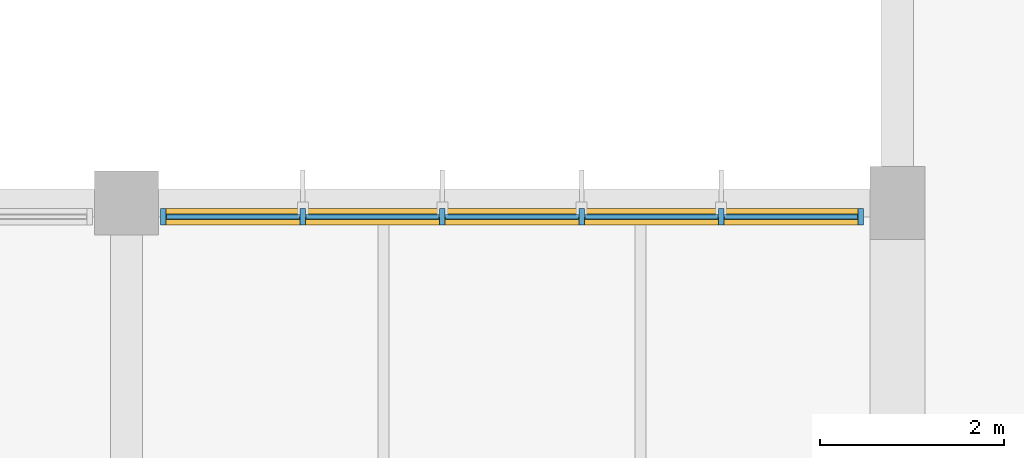
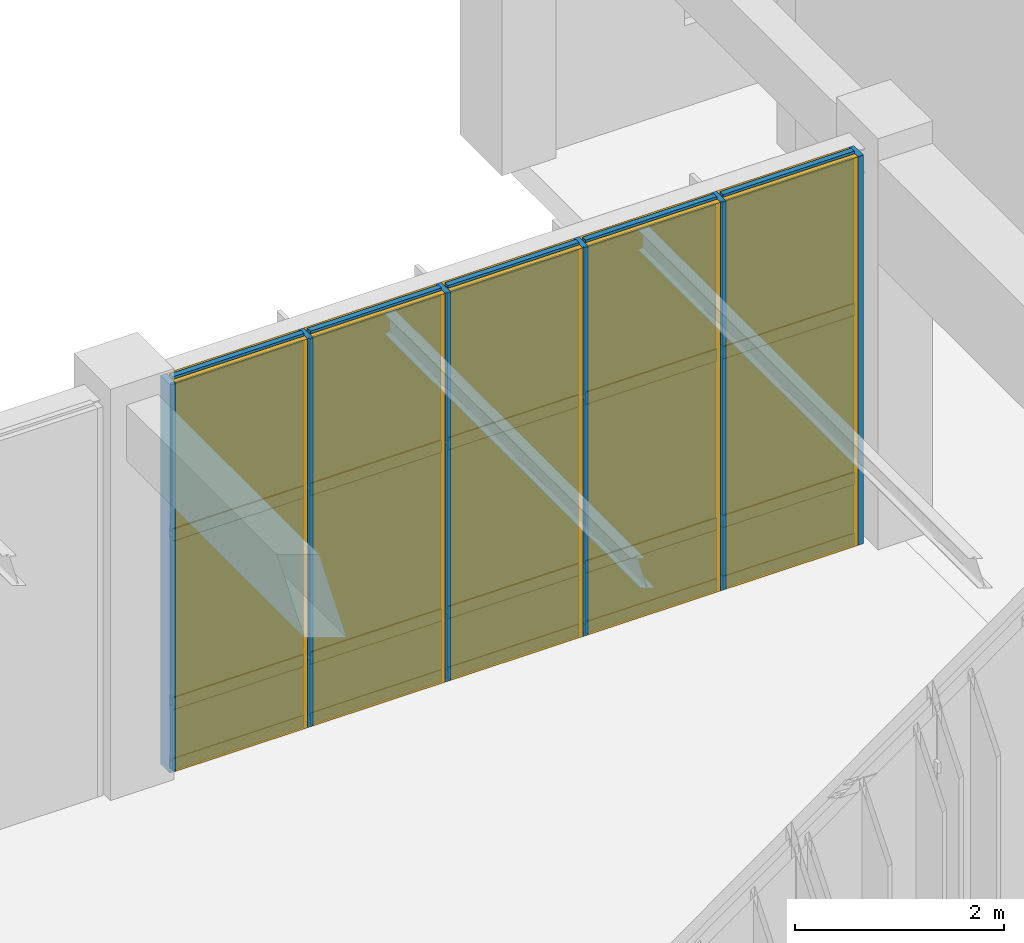
# One storey, part 93 of 122: 26 members, 15 plates, 1 curtain wall.
"""IFC4 building model written with IfcOpenShell, lengths in metres."""

import ifcopenshell
import ifcopenshell.guid

model = None  # the IFC model being written
_history = None  # IfcOwnerHistory: only IFC2X3 demands one
_inside = {}  # id of a spatial element -> (the spatial element, [elements in it])
_under = {}  # id of a project, library or spatial element -> (it, [spatial elements below it])
_declared = {}  # id of a project -> (the project, [libraries it declares])
_typed = {}  # id of a type object -> (the type object, [elements of that type])
_made_of = {}  # id of a material, layer set ... -> (it, [elements and type objects made of it])


def new_model(schema):
    """Start an empty IFC model of exactly this schema.

    Asked for "IFC4X3", IfcOpenShell would pick the latest addendum, in which some entities
    have other attributes; the version numbers below select the first issue.
    IFC2X3 requires an IfcOwnerHistory on every rooted entity: one is made here for all.
    """
    global model, _history
    if schema == "IFC4X3":
        model = ifcopenshell.file(schema_version=(4, 3, 0, 0))
    else:
        model = ifcopenshell.file(schema=schema)
    _inside.clear()
    _under.clear()
    _declared.clear()
    _typed.clear()
    _made_of.clear()
    _history = None
    if model.schema == "IFC2X3":
        org = make("IfcOrganization", Name="unknown")
        user = make(
            "IfcPersonAndOrganization",
            ThePerson=make("IfcPerson", FamilyName="unknown"),
            TheOrganization=org,
        )
        app = make(
            "IfcApplication",
            ApplicationDeveloper=org,
            Version="unknown",
            ApplicationFullName="unknown",
            ApplicationIdentifier="unknown",
        )
        _history = make(
            "IfcOwnerHistory",
            OwningUser=user,
            OwningApplication=app,
            ChangeAction="ADDED",
            CreationDate=0,
        )
    return model


def make(cls, **values):
    """One entity of the class cls with the attributes given. An attribute that is None is left unset."""
    return model.create_entity(
        cls, **{name: value for name, value in values.items() if value is not None}
    )


def rooted(cls, **values):
    """An entity with a GlobalId (a new one), such as an element, a storey or a relation."""
    return make(cls, GlobalId=ifcopenshell.guid.new(), OwnerHistory=_history, **values)


def si_unit(unit_type, name, prefix=None):
    """IfcSIUnit, for example si_unit("LENGTHUNIT", "METRE", prefix="MILLI")."""
    return make("IfcSIUnit", UnitType=unit_type, Prefix=prefix, Name=name)


def assignment(units):
    """IfcUnitAssignment: the units of a project."""
    return None if units is None else make("IfcUnitAssignment", Units=units)


def point(xyz):
    """IfcCartesianPoint."""
    return None if xyz is None else make("IfcCartesianPoint", Coordinates=xyz)


def direction(xyz):
    """IfcDirection."""
    return None if xyz is None else make("IfcDirection", DirectionRatios=xyz)


def frame(location, z_axis=None, x_axis=None):
    """IfcAxis2Placement3D, a coordinate frame: its origin and axes. An axis left out is left unset."""
    return make(
        "IfcAxis2Placement3D",
        Location=point(location),
        Axis=direction(z_axis),
        RefDirection=direction(x_axis),
    )


def frame_2d(location, x_axis=None):
    """IfcAxis2Placement2D, a coordinate frame in the plane: its origin and x axis."""
    return make(
        "IfcAxis2Placement2D", Location=point(location), RefDirection=direction(x_axis)
    )


def origin():
    """The frame at (0, 0, 0) with its axes left unset."""
    return frame((0.0, 0.0, 0.0))


def origin_2d():
    """The frame at (0, 0) in the plane with its x axis left unset."""
    return frame_2d((0.0, 0.0))


def place(relative_to, where):
    """IfcLocalPlacement: puts the frame where relative to a parent placement (None: the world)."""
    return make(
        "IfcLocalPlacement", PlacementRelTo=relative_to, RelativePlacement=where
    )


def context(
    kind, dimensions, precision=None, world=None, true_north=None, identifier=None
):
    """IfcGeometricRepresentationContext, for example the 3D "Model" context."""
    return make(
        "IfcGeometricRepresentationContext",
        ContextIdentifier=identifier,
        ContextType=kind,
        CoordinateSpaceDimension=dimensions,
        Precision=precision,
        WorldCoordinateSystem=world,
        TrueNorth=true_north,
    )


def subcontext(parent, identifier, kind, view, scale=None):
    """IfcGeometricRepresentationSubContext, for example "Body" below "Model"."""
    return make(
        "IfcGeometricRepresentationSubContext",
        ContextIdentifier=identifier,
        ContextType=kind,
        ParentContext=parent,
        TargetScale=scale,
        TargetView=view,
    )


def project(units=None, contexts=None):
    """IfcProject with its units and contexts."""
    return rooted(
        "IfcProject",
        Name="project",
        RepresentationContexts=contexts,
        UnitsInContext=assignment(units),
    )


def spatial(cls, under=None, at=None, **own):
    """A site, building, storey or space (cls), placed at a placement, below another one or the project."""
    s = rooted(cls, ObjectPlacement=at, **own)
    if under is not None:
        _under.setdefault(under.id(), (under, []))[1].append(s)
    return s


def profile(cls, at=None, kind="AREA", **sizes):
    """A parametric profile (cls). Its sizes go by their IFC names, for example OverallWidth=200.0."""
    return make(cls, ProfileType=kind, Position=at, **sizes)


def rectangle(**sizes):
    """IfcRectangleProfileDef."""
    return profile("IfcRectangleProfileDef", **sizes)


def extrude(swept, where, along, depth):
    """IfcExtrudedAreaSolid: the profile swept, set in the frame where, extruded along a direction by depth."""
    return make(
        "IfcExtrudedAreaSolid",
        SweptArea=swept,
        Position=where,
        ExtrudedDirection=direction(along),
        Depth=depth,
    )


def shape(context_of_items, identifier, shape_type, items):
    """IfcShapeRepresentation: the items that make up one representation, for example the "Body"."""
    return make(
        "IfcShapeRepresentation",
        ContextOfItems=context_of_items,
        RepresentationIdentifier=identifier,
        RepresentationType=shape_type,
        Items=items,
    )


def material(Name=None, Category=None):
    """IfcMaterial."""
    return make("IfcMaterial", Name=Name, Category=Category)


def layer(
    of_material, thickness, ventilated=None, Name=None, Category=None, Priority=None
):
    """IfcMaterialLayer: one layer of a wall or slab, of a material (None: an air gap)."""
    return make(
        "IfcMaterialLayer",
        Material=of_material,
        LayerThickness=thickness,
        IsVentilated=ventilated,
        Name=Name,
        Category=Category,
        Priority=Priority,
    )


def layer_set(layers, Name=None):
    """IfcMaterialLayerSet."""
    return make("IfcMaterialLayerSet", MaterialLayers=layers, LayerSetName=Name)


def material_profile(
    of_material, cross_section, Name=None, Category=None, Priority=None
):
    """IfcMaterialProfile: a cross section and its material."""
    return make(
        "IfcMaterialProfile",
        Name=Name,
        Material=of_material,
        Profile=cross_section,
        Priority=Priority,
        Category=Category,
    )


def profile_set(profiles, Name=None, composite=None):
    """IfcMaterialProfileSet."""
    return make(
        "IfcMaterialProfileSet",
        Name=Name,
        MaterialProfiles=profiles,
        CompositeProfile=composite,
    )


def made_of(thing, what):
    """Note that an element or type object is made of a material, layer set ...; save() writes the relation."""
    if what is not None:
        _made_of.setdefault(what.id(), (what, []))[1].append(thing)
    return thing


def type_object(cls, material=None, **own):
    """A type object (cls), such as IfcWallType, which elements share."""
    return made_of(rooted(cls, **own), material)


def element(
    cls,
    number,
    at=None,
    inside=None,
    cuts=None,
    type_object=None,
    material=None,
    context=None,
    identifier="Body",
    shape_type=None,
    held_by="IfcProductDefinitionShape",
    body=None,
    shapes=None,
    **own,
):
    """One element of the class cls, such as IfcWall. Its Tag is "e" and its number.

    at: its placement. inside: the storey or other place that contains it. cuts: it is an
    opening in that element (IfcRelVoidsElement). A single representation is given by context,
    identifier, shape_type and body (its items); several are given by shapes. held_by: the class
    of the entity that holds the representations. save() writes the other relations.
    """
    e = rooted(cls, Tag="e%d" % number, ObjectPlacement=at, **own)
    if body is not None:
        shapes = [shape(context, identifier, shape_type, body)]
    if shapes is not None:
        e.Representation = make(held_by, Representations=shapes)
    if inside is not None:
        _inside.setdefault(inside.id(), (inside, []))[1].append(e)
    if cuts is not None:
        rooted(
            "IfcRelVoidsElement", RelatingBuildingElement=cuts, RelatedOpeningElement=e
        )
    if type_object is not None:
        _typed.setdefault(type_object.id(), (type_object, []))[1].append(e)
    return made_of(e, material)


def aggregate(whole, parts):
    """IfcRelAggregates: a whole, such as a stair, and the parts it consists of."""
    return rooted("IfcRelAggregates", RelatingObject=whole, RelatedObjects=parts)


def save(model, path):
    """Write the relations noted so far, then the file.

    IfcRelAggregates (storeys below a building ...), IfcRelContainedInSpatialStructure (elements
    in a storey), IfcRelDefinesByType, IfcRelAssociatesMaterial and IfcRelDeclares: one each for
    every whole, place, type object, material and project.
    """
    for whole, parts in _under.values():
        aggregate(whole, parts)
    for where, things in _inside.values():
        rooted(
            "IfcRelContainedInSpatialStructure",
            RelatedElements=things,
            RelatingStructure=where,
        )
    for kind, things in _typed.values():
        rooted("IfcRelDefinesByType", RelatedObjects=things, RelatingType=kind)
    for what, things in _made_of.values():
        rooted("IfcRelAssociatesMaterial", RelatedObjects=things, RelatingMaterial=what)
    for by, libraries in _declared.values():
        rooted("IfcRelDeclares", RelatingContext=by, RelatedDefinitions=libraries)
    model.write(path)


model = new_model("IFC4")

# Units and contexts
model_context = context("Model", 3, precision=1e-05, world=origin(), true_north=direction((0.0, 1.0)))
body_context = subcontext(model_context, "Body", "Model", "MODEL_VIEW")
ifc_project = project(units=[si_unit("LENGTHUNIT", "METRE"), si_unit("AREAUNIT", "SQUARE_METRE"), si_unit("VOLUMEUNIT", "CUBIC_METRE"), si_unit("PLANEANGLEUNIT", "RADIAN"), si_unit("MASSUNIT", "GRAM", prefix="KILO")], contexts=[model_context])

# Member
ifc_material_1 = material(Name="Anodised Bronze Aluminium 6063-T6", Category="aluminium")
ifc_material_profile_1 = material_profile(ifc_material_1, rectangle(XDim=0.06005859375, YDim=0.179931640625, at=origin_2d()), Name="ALU MULLION 60x180")
ifc_profile_set_1 = profile_set([ifc_material_profile_1], Name="Anodised Bronze Aluminium 6063-T6")
member_type_1 = type_object("IfcMemberType", Name="Curtain-Wall Primary Mullion 60x180", PredefinedType="MULLION", material=ifc_profile_set_1)
site_placement = place(None, origin())
building_placement = place(site_placement, origin())
storey_placement = place(building_placement, origin())
member_1_placement = place(storey_placement, frame((117.39990234375, 51.64990234375, 0.0), z_axis=(0.0, 0.0, 1.0), x_axis=(1.0, 0.0, 0.0)))
member_1 = element("IfcMember", 1, at=member_1_placement, type_object=member_type_1, Name="Mullion CWM-01 CW-ELNK-N-L00-B4-M01", PredefinedType="MULLION", context=body_context, shape_type="SweptSolid", body=[
    extrude(rectangle(XDim=0.06005859375, YDim=0.179931640625, at=origin_2d()), origin(), (0.0, 0.0, 1.0), 4.5400390625),
])

member_2_placement = place(storey_placement, frame((118.919921875, 51.64990234375, 0.0), z_axis=(0.0, 0.0, 1.0), x_axis=(1.0, 0.0, 0.0)))
member_2 = element("IfcMember", 2, at=member_2_placement, type_object=member_type_1, Name="Mullion CWM-01 CW-ELNK-N-L00-B4-M02", PredefinedType="MULLION", context=body_context, shape_type="SweptSolid", body=[
    extrude(rectangle(XDim=0.06005859375, YDim=0.179931640625, at=origin_2d()), origin(), (0.0, 0.0, 1.0), 4.5400390625),
])

member_3_placement = place(storey_placement, frame((120.43994140625, 51.64990234375, 0.0), z_axis=(0.0, 0.0, 1.0), x_axis=(1.0, 0.0, 0.0)))
member_3 = element("IfcMember", 3, at=member_3_placement, type_object=member_type_1, Name="Mullion CWM-01 CW-ELNK-N-L00-B4-M03", PredefinedType="MULLION", context=body_context, shape_type="SweptSolid", body=[
    extrude(rectangle(XDim=0.06005859375, YDim=0.179931640625, at=origin_2d()), origin(), (0.0, 0.0, 1.0), 4.5400390625),
])

member_4_placement = place(storey_placement, frame((121.9599609375, 51.64990234375, 0.0), z_axis=(0.0, 0.0, 1.0), x_axis=(1.0, 0.0, 0.0)))
member_4 = element("IfcMember", 4, at=member_4_placement, type_object=member_type_1, Name="Mullion CWM-01 CW-ELNK-N-L00-B4-M04", PredefinedType="MULLION", context=body_context, shape_type="SweptSolid", body=[
    extrude(rectangle(XDim=0.06005859375, YDim=0.179931640625, at=origin_2d()), origin(), (0.0, 0.0, 1.0), 4.5400390625),
])

member_5_placement = place(storey_placement, frame((123.47998046875, 51.64990234375, 0.0), z_axis=(0.0, 0.0, 1.0), x_axis=(1.0, 0.0, 0.0)))
member_5 = element("IfcMember", 5, at=member_5_placement, type_object=member_type_1, Name="Mullion CWM-01 CW-ELNK-N-L00-B4-M05", PredefinedType="MULLION", context=body_context, shape_type="SweptSolid", body=[
    extrude(rectangle(XDim=0.06005859375, YDim=0.179931640625, at=origin_2d()), origin(), (0.0, 0.0, 1.0), 4.5400390625),
])

member_6_placement = place(storey_placement, frame((125.0, 51.64990234375, 0.0), z_axis=(0.0, 0.0, 1.0), x_axis=(1.0, 0.0, 0.0)))
member_6 = element("IfcMember", 6, at=member_6_placement, type_object=member_type_1, Name="Mullion CWM-01 CW-ELNK-N-L00-B4-M06", PredefinedType="MULLION", context=body_context, shape_type="SweptSolid", body=[
    extrude(rectangle(XDim=0.06005859375, YDim=0.179931640625, at=origin_2d()), origin(), (0.0, 0.0, 1.0), 4.5400390625),
])

ifc_material_profile_2 = material_profile(ifc_material_1, rectangle(XDim=0.06005859375, YDim=0.139892578125, at=origin_2d()), Name="ALU TRANSOM 60x140")
ifc_profile_set_2 = profile_set([ifc_material_profile_2], Name="Anodised Bronze Aluminium 6063-T6")
member_type_2 = type_object("IfcMemberType", Name="Curtain-Wall Transom 60x140", PredefinedType="USERDEFINED", material=ifc_profile_set_2)
member_7_placement = place(storey_placement, frame((117.43505859375, 51.64990234375, 0.0400390625), z_axis=(1.0, 0.0, 0.0), x_axis=(0.0, 1.0, 0.0)))
member_7 = element("IfcMember", 7, at=member_7_placement, type_object=member_type_2, Name="Transom CWT-01 CW-ELNK-N-L00-B4-T01.1", ObjectType="TRANSOM", PredefinedType="USERDEFINED", context=body_context, shape_type="SweptSolid", body=[
    extrude(rectangle(XDim=0.06005859375, YDim=0.139892578125, at=origin_2d()), origin(), (0.0, 0.0, 1.0), 1.449951171875),
])

member_8_placement = place(storey_placement, frame((117.43505859375, 51.64990234375, 0.75), z_axis=(1.0, 0.0, 0.0), x_axis=(0.0, 1.0, 0.0)))
member_8 = element("IfcMember", 8, at=member_8_placement, type_object=member_type_2, Name="Transom CWT-01 CW-ELNK-N-L00-B4-T01.2", ObjectType="TRANSOM", PredefinedType="USERDEFINED", context=body_context, shape_type="SweptSolid", body=[
    extrude(rectangle(XDim=0.06005859375, YDim=0.139892578125, at=origin_2d()), origin(), (0.0, 0.0, 1.0), 1.449951171875),
])

member_9_placement = place(storey_placement, frame((117.43505859375, 51.64990234375, 2.720703125), z_axis=(1.0, 0.0, 0.0), x_axis=(0.0, 1.0, 0.0)))
member_9 = element("IfcMember", 9, at=member_9_placement, type_object=member_type_2, Name="Transom CWT-01 CW-ELNK-N-L00-B4-T01.3", ObjectType="TRANSOM", PredefinedType="USERDEFINED", context=body_context, shape_type="SweptSolid", body=[
    extrude(rectangle(XDim=0.06005859375, YDim=0.139892578125, at=origin_2d()), origin(), (0.0, 0.0, 1.0), 1.449951171875),
])

member_10_placement = place(storey_placement, frame((117.43505859375, 51.64990234375, 4.5), z_axis=(1.0, 0.0, 0.0), x_axis=(0.0, 1.0, 0.0)))
member_10 = element("IfcMember", 10, at=member_10_placement, type_object=member_type_2, Name="Transom CWT-01 CW-ELNK-N-L00-B4-T01.4", ObjectType="TRANSOM", PredefinedType="USERDEFINED", context=body_context, shape_type="SweptSolid", body=[
    extrude(rectangle(XDim=0.06005859375, YDim=0.139892578125, at=origin_2d()), origin(), (0.0, 0.0, 1.0), 1.449951171875),
])

member_11_placement = place(storey_placement, frame((118.955078125, 51.64990234375, 0.0400390625), z_axis=(1.0, 0.0, 0.0), x_axis=(0.0, 1.0, 0.0)))
member_11 = element("IfcMember", 11, at=member_11_placement, type_object=member_type_2, Name="Transom CWT-01 CW-ELNK-N-L00-B4-T02.1", ObjectType="TRANSOM", PredefinedType="USERDEFINED", context=body_context, shape_type="SweptSolid", body=[
    extrude(rectangle(XDim=0.06005859375, YDim=0.139892578125, at=origin_2d()), origin(), (0.0, 0.0, 1.0), 1.449951171875),
])

member_12_placement = place(storey_placement, frame((118.955078125, 51.64990234375, 0.75), z_axis=(1.0, 0.0, 0.0), x_axis=(0.0, 1.0, 0.0)))
member_12 = element("IfcMember", 12, at=member_12_placement, type_object=member_type_2, Name="Transom CWT-01 CW-ELNK-N-L00-B4-T02.2", ObjectType="TRANSOM", PredefinedType="USERDEFINED", context=body_context, shape_type="SweptSolid", body=[
    extrude(rectangle(XDim=0.06005859375, YDim=0.139892578125, at=origin_2d()), origin(), (0.0, 0.0, 1.0), 1.449951171875),
])

member_13_placement = place(storey_placement, frame((118.955078125, 51.64990234375, 2.720703125), z_axis=(1.0, 0.0, 0.0), x_axis=(0.0, 1.0, 0.0)))
member_13 = element("IfcMember", 13, at=member_13_placement, type_object=member_type_2, Name="Transom CWT-01 CW-ELNK-N-L00-B4-T02.3", ObjectType="TRANSOM", PredefinedType="USERDEFINED", context=body_context, shape_type="SweptSolid", body=[
    extrude(rectangle(XDim=0.06005859375, YDim=0.139892578125, at=origin_2d()), origin(), (0.0, 0.0, 1.0), 1.449951171875),
])

member_14_placement = place(storey_placement, frame((118.955078125, 51.64990234375, 4.5), z_axis=(1.0, 0.0, 0.0), x_axis=(0.0, 1.0, 0.0)))
member_14 = element("IfcMember", 14, at=member_14_placement, type_object=member_type_2, Name="Transom CWT-01 CW-ELNK-N-L00-B4-T02.4", ObjectType="TRANSOM", PredefinedType="USERDEFINED", context=body_context, shape_type="SweptSolid", body=[
    extrude(rectangle(XDim=0.06005859375, YDim=0.139892578125, at=origin_2d()), origin(), (0.0, 0.0, 1.0), 1.449951171875),
])

member_15_placement = place(storey_placement, frame((120.47509765625, 51.64990234375, 0.0400390625), z_axis=(1.0, 0.0, 0.0), x_axis=(0.0, 1.0, 0.0)))
member_15 = element("IfcMember", 15, at=member_15_placement, type_object=member_type_2, Name="Transom CWT-01 CW-ELNK-N-L00-B4-T03.1", ObjectType="TRANSOM", PredefinedType="USERDEFINED", context=body_context, shape_type="SweptSolid", body=[
    extrude(rectangle(XDim=0.06005859375, YDim=0.139892578125, at=origin_2d()), origin(), (0.0, 0.0, 1.0), 1.449951171875),
])

member_16_placement = place(storey_placement, frame((120.47509765625, 51.64990234375, 0.75), z_axis=(1.0, 0.0, 0.0), x_axis=(0.0, 1.0, 0.0)))
member_16 = element("IfcMember", 16, at=member_16_placement, type_object=member_type_2, Name="Transom CWT-01 CW-ELNK-N-L00-B4-T03.2", ObjectType="TRANSOM", PredefinedType="USERDEFINED", context=body_context, shape_type="SweptSolid", body=[
    extrude(rectangle(XDim=0.06005859375, YDim=0.139892578125, at=origin_2d()), origin(), (0.0, 0.0, 1.0), 1.449951171875),
])

member_17_placement = place(storey_placement, frame((120.47509765625, 51.64990234375, 2.720703125), z_axis=(1.0, 0.0, 0.0), x_axis=(0.0, 1.0, 0.0)))
member_17 = element("IfcMember", 17, at=member_17_placement, type_object=member_type_2, Name="Transom CWT-01 CW-ELNK-N-L00-B4-T03.3", ObjectType="TRANSOM", PredefinedType="USERDEFINED", context=body_context, shape_type="SweptSolid", body=[
    extrude(rectangle(XDim=0.06005859375, YDim=0.139892578125, at=origin_2d()), origin(), (0.0, 0.0, 1.0), 1.449951171875),
])

member_18_placement = place(storey_placement, frame((120.47509765625, 51.64990234375, 4.5), z_axis=(1.0, 0.0, 0.0), x_axis=(0.0, 1.0, 0.0)))
member_18 = element("IfcMember", 18, at=member_18_placement, type_object=member_type_2, Name="Transom CWT-01 CW-ELNK-N-L00-B4-T03.4", ObjectType="TRANSOM", PredefinedType="USERDEFINED", context=body_context, shape_type="SweptSolid", body=[
    extrude(rectangle(XDim=0.06005859375, YDim=0.139892578125, at=origin_2d()), origin(), (0.0, 0.0, 1.0), 1.449951171875),
])

member_19_placement = place(storey_placement, frame((121.9951171875, 51.64990234375, 0.0400390625), z_axis=(1.0, 0.0, 0.0), x_axis=(0.0, 1.0, 0.0)))
member_19 = element("IfcMember", 19, at=member_19_placement, type_object=member_type_2, Name="Transom CWT-01 CW-ELNK-N-L00-B4-T04.1", ObjectType="TRANSOM", PredefinedType="USERDEFINED", context=body_context, shape_type="SweptSolid", body=[
    extrude(rectangle(XDim=0.06005859375, YDim=0.139892578125, at=origin_2d()), origin(), (0.0, 0.0, 1.0), 1.449951171875),
])

member_20_placement = place(storey_placement, frame((121.9951171875, 51.64990234375, 0.75), z_axis=(1.0, 0.0, 0.0), x_axis=(0.0, 1.0, 0.0)))
member_20 = element("IfcMember", 20, at=member_20_placement, type_object=member_type_2, Name="Transom CWT-01 CW-ELNK-N-L00-B4-T04.2", ObjectType="TRANSOM", PredefinedType="USERDEFINED", context=body_context, shape_type="SweptSolid", body=[
    extrude(rectangle(XDim=0.06005859375, YDim=0.139892578125, at=origin_2d()), origin(), (0.0, 0.0, 1.0), 1.449951171875),
])

member_21_placement = place(storey_placement, frame((121.9951171875, 51.64990234375, 2.720703125), z_axis=(1.0, 0.0, 0.0), x_axis=(0.0, 1.0, 0.0)))
member_21 = element("IfcMember", 21, at=member_21_placement, type_object=member_type_2, Name="Transom CWT-01 CW-ELNK-N-L00-B4-T04.3", ObjectType="TRANSOM", PredefinedType="USERDEFINED", context=body_context, shape_type="SweptSolid", body=[
    extrude(rectangle(XDim=0.06005859375, YDim=0.139892578125, at=origin_2d()), origin(), (0.0, 0.0, 1.0), 1.449951171875),
])

member_22_placement = place(storey_placement, frame((121.9951171875, 51.64990234375, 4.5), z_axis=(1.0, 0.0, 0.0), x_axis=(0.0, 1.0, 0.0)))
member_22 = element("IfcMember", 22, at=member_22_placement, type_object=member_type_2, Name="Transom CWT-01 CW-ELNK-N-L00-B4-T04.4", ObjectType="TRANSOM", PredefinedType="USERDEFINED", context=body_context, shape_type="SweptSolid", body=[
    extrude(rectangle(XDim=0.06005859375, YDim=0.139892578125, at=origin_2d()), origin(), (0.0, 0.0, 1.0), 1.449951171875),
])

member_23_placement = place(storey_placement, frame((123.514892578125, 51.64990234375, 0.0400390625), z_axis=(1.0, 0.0, 0.0), x_axis=(0.0, 1.0, 0.0)))
member_23 = element("IfcMember", 23, at=member_23_placement, type_object=member_type_2, Name="Transom CWT-01 CW-ELNK-N-L00-B4-T05.1", ObjectType="TRANSOM", PredefinedType="USERDEFINED", context=body_context, shape_type="SweptSolid", body=[
    extrude(rectangle(XDim=0.06005859375, YDim=0.139892578125, at=origin_2d()), origin(), (0.0, 0.0, 1.0), 1.4501953125),
])

member_24_placement = place(storey_placement, frame((123.514892578125, 51.64990234375, 0.75), z_axis=(1.0, 0.0, 0.0), x_axis=(0.0, 1.0, 0.0)))
member_24 = element("IfcMember", 24, at=member_24_placement, type_object=member_type_2, Name="Transom CWT-01 CW-ELNK-N-L00-B4-T05.2", ObjectType="TRANSOM", PredefinedType="USERDEFINED", context=body_context, shape_type="SweptSolid", body=[
    extrude(rectangle(XDim=0.06005859375, YDim=0.139892578125, at=origin_2d()), origin(), (0.0, 0.0, 1.0), 1.4501953125),
])

member_25_placement = place(storey_placement, frame((123.514892578125, 51.64990234375, 2.720703125), z_axis=(1.0, 0.0, 0.0), x_axis=(0.0, 1.0, 0.0)))
member_25 = element("IfcMember", 25, at=member_25_placement, type_object=member_type_2, Name="Transom CWT-01 CW-ELNK-N-L00-B4-T05.3", ObjectType="TRANSOM", PredefinedType="USERDEFINED", context=body_context, shape_type="SweptSolid", body=[
    extrude(rectangle(XDim=0.06005859375, YDim=0.139892578125, at=origin_2d()), origin(), (0.0, 0.0, 1.0), 1.4501953125),
])

member_26_placement = place(storey_placement, frame((123.514892578125, 51.64990234375, 4.5), z_axis=(1.0, 0.0, 0.0), x_axis=(0.0, 1.0, 0.0)))
member_26 = element("IfcMember", 26, at=member_26_placement, type_object=member_type_2, Name="Transom CWT-01 CW-ELNK-N-L00-B4-T05.4", ObjectType="TRANSOM", PredefinedType="USERDEFINED", context=body_context, shape_type="SweptSolid", body=[
    extrude(rectangle(XDim=0.06005859375, YDim=0.139892578125, at=origin_2d()), origin(), (0.0, 0.0, 1.0), 1.4501953125),
])

# Plate
ifc_material_2 = material(Name="Insulated Bronze Aluminium Spandrel Panel", Category="aluminium")
ifc_layer_1 = layer(ifc_material_2, 0.050048828125, Name="Insulated Bronze Aluminium Spandrel Panel")
ifc_layer_set_1 = layer_set([ifc_layer_1], Name="Insulated Bronze Aluminium Spandrel Panel")
plate_type_1 = type_object("IfcPlateType", Name="Insulated Anodised Aluminium Spandrel Cassette 50", PredefinedType="CURTAIN_PANEL", material=ifc_layer_set_1)
plate_1_placement = place(storey_placement, frame((118.159912109375, 51.64990234375, 0.070068359375), z_axis=(0.0, 0.0, 1.0), x_axis=(1.0, 0.0, 0.0)))
plate_1 = element("IfcPlate", 27, at=plate_1_placement, type_object=plate_type_1, Name="Curtain Panel CWP-03 CW-ELNK-N-L00-B4-P01.1", PredefinedType="CURTAIN_PANEL", context=body_context, shape_type="SweptSolid", body=[
    extrude(rectangle(XDim=1.449951171875, YDim=0.050048828125, at=origin_2d()), origin(), (0.0, 0.0, 1.0), 0.64990234375),
])

plate_2_placement = place(storey_placement, frame((119.679931640625, 51.64990234375, 0.070068359375), z_axis=(0.0, 0.0, 1.0), x_axis=(1.0, 0.0, 0.0)))
plate_2 = element("IfcPlate", 28, at=plate_2_placement, type_object=plate_type_1, Name="Curtain Panel CWP-03 CW-ELNK-N-L00-B4-P02.1", PredefinedType="CURTAIN_PANEL", context=body_context, shape_type="SweptSolid", body=[
    extrude(rectangle(XDim=1.449951171875, YDim=0.050048828125, at=origin_2d()), origin(), (0.0, 0.0, 1.0), 0.64990234375),
])

plate_3_placement = place(storey_placement, frame((121.199951171875, 51.64990234375, 0.070068359375), z_axis=(0.0, 0.0, 1.0), x_axis=(1.0, 0.0, 0.0)))
plate_3 = element("IfcPlate", 29, at=plate_3_placement, type_object=plate_type_1, Name="Curtain Panel CWP-03 CW-ELNK-N-L00-B4-P03.1", PredefinedType="CURTAIN_PANEL", context=body_context, shape_type="SweptSolid", body=[
    extrude(rectangle(XDim=1.449951171875, YDim=0.050048828125, at=origin_2d()), origin(), (0.0, 0.0, 1.0), 0.64990234375),
])

plate_4_placement = place(storey_placement, frame((122.719970703125, 51.64990234375, 0.070068359375), z_axis=(0.0, 0.0, 1.0), x_axis=(1.0, 0.0, 0.0)))
plate_4 = element("IfcPlate", 30, at=plate_4_placement, type_object=plate_type_1, Name="Curtain Panel CWP-03 CW-ELNK-N-L00-B4-P04.1", PredefinedType="CURTAIN_PANEL", context=body_context, shape_type="SweptSolid", body=[
    extrude(rectangle(XDim=1.449951171875, YDim=0.050048828125, at=origin_2d()), origin(), (0.0, 0.0, 1.0), 0.64990234375),
])

plate_5_placement = place(storey_placement, frame((124.239990234375, 51.64990234375, 0.070068359375), z_axis=(0.0, 0.0, 1.0), x_axis=(1.0, 0.0, 0.0)))
plate_5 = element("IfcPlate", 31, at=plate_5_placement, type_object=plate_type_1, Name="Curtain Panel CWP-03 CW-ELNK-N-L00-B4-P05.1", PredefinedType="CURTAIN_PANEL", context=body_context, shape_type="SweptSolid", body=[
    extrude(rectangle(XDim=1.449951171875, YDim=0.050048828125, at=origin_2d()), origin(), (0.0, 0.0, 1.0), 0.64990234375),
])

ifc_material_3 = material(Name="Solar-Control Tempered Double Glazing", Category="glass")
ifc_layer_2 = layer(ifc_material_3, 0.0380859375, Name="Solar-Control Tempered Double Glazing")
ifc_layer_set_2 = layer_set([ifc_layer_2], Name="Solar-Control Tempered Double Glazing")
plate_type_2 = type_object("IfcPlateType", Name="Solar-Control Vision Glazing Unit 38", PredefinedType="CURTAIN_PANEL", material=ifc_layer_set_2)
plate_6_placement = place(storey_placement, frame((118.159912109375, 51.64990234375, 0.77978515625), z_axis=(0.0, 0.0, 1.0), x_axis=(1.0, 0.0, 0.0)))
plate_6 = element("IfcPlate", 32, at=plate_6_placement, type_object=plate_type_2, Name="Curtain Panel CWP-02 CW-ELNK-N-L00-B4-P01.2", PredefinedType="CURTAIN_PANEL", context=body_context, shape_type="SweptSolid", body=[
    extrude(rectangle(XDim=1.449951171875, YDim=0.0380859375, at=origin_2d()), origin(), (0.0, 0.0, 1.0), 1.910888671875),
])

plate_7_placement = place(storey_placement, frame((118.159912109375, 51.64990234375, 2.750732421875), z_axis=(0.0, 0.0, 1.0), x_axis=(1.0, 0.0, 0.0)))
plate_7 = element("IfcPlate", 33, at=plate_7_placement, type_object=plate_type_2, Name="Curtain Panel CWP-02 CW-ELNK-N-L00-B4-P01.3", PredefinedType="CURTAIN_PANEL", context=body_context, shape_type="SweptSolid", body=[
    extrude(rectangle(XDim=1.449951171875, YDim=0.0380859375, at=origin_2d()), origin(), (0.0, 0.0, 1.0), 1.71923828125),
])

plate_8_placement = place(storey_placement, frame((119.679931640625, 51.64990234375, 0.77978515625), z_axis=(0.0, 0.0, 1.0), x_axis=(1.0, 0.0, 0.0)))
plate_8 = element("IfcPlate", 34, at=plate_8_placement, type_object=plate_type_2, Name="Curtain Panel CWP-02 CW-ELNK-N-L00-B4-P02.2", PredefinedType="CURTAIN_PANEL", context=body_context, shape_type="SweptSolid", body=[
    extrude(rectangle(XDim=1.449951171875, YDim=0.0380859375, at=origin_2d()), origin(), (0.0, 0.0, 1.0), 1.910888671875),
])

plate_9_placement = place(storey_placement, frame((119.679931640625, 51.64990234375, 2.750732421875), z_axis=(0.0, 0.0, 1.0), x_axis=(1.0, 0.0, 0.0)))
plate_9 = element("IfcPlate", 35, at=plate_9_placement, type_object=plate_type_2, Name="Curtain Panel CWP-02 CW-ELNK-N-L00-B4-P02.3", PredefinedType="CURTAIN_PANEL", context=body_context, shape_type="SweptSolid", body=[
    extrude(rectangle(XDim=1.449951171875, YDim=0.0380859375, at=origin_2d()), origin(), (0.0, 0.0, 1.0), 1.71923828125),
])

plate_10_placement = place(storey_placement, frame((121.199951171875, 51.64990234375, 0.77978515625), z_axis=(0.0, 0.0, 1.0), x_axis=(1.0, 0.0, 0.0)))
plate_10 = element("IfcPlate", 36, at=plate_10_placement, type_object=plate_type_2, Name="Curtain Panel CWP-02 CW-ELNK-N-L00-B4-P03.2", PredefinedType="CURTAIN_PANEL", context=body_context, shape_type="SweptSolid", body=[
    extrude(rectangle(XDim=1.449951171875, YDim=0.0380859375, at=origin_2d()), origin(), (0.0, 0.0, 1.0), 1.910888671875),
])

plate_11_placement = place(storey_placement, frame((121.199951171875, 51.64990234375, 2.750732421875), z_axis=(0.0, 0.0, 1.0), x_axis=(1.0, 0.0, 0.0)))
plate_11 = element("IfcPlate", 37, at=plate_11_placement, type_object=plate_type_2, Name="Curtain Panel CWP-02 CW-ELNK-N-L00-B4-P03.3", PredefinedType="CURTAIN_PANEL", context=body_context, shape_type="SweptSolid", body=[
    extrude(rectangle(XDim=1.449951171875, YDim=0.0380859375, at=origin_2d()), origin(), (0.0, 0.0, 1.0), 1.71923828125),
])

plate_12_placement = place(storey_placement, frame((122.719970703125, 51.64990234375, 0.77978515625), z_axis=(0.0, 0.0, 1.0), x_axis=(1.0, 0.0, 0.0)))
plate_12 = element("IfcPlate", 38, at=plate_12_placement, type_object=plate_type_2, Name="Curtain Panel CWP-02 CW-ELNK-N-L00-B4-P04.2", PredefinedType="CURTAIN_PANEL", context=body_context, shape_type="SweptSolid", body=[
    extrude(rectangle(XDim=1.449951171875, YDim=0.0380859375, at=origin_2d()), origin(), (0.0, 0.0, 1.0), 1.910888671875),
])

plate_13_placement = place(storey_placement, frame((122.719970703125, 51.64990234375, 2.750732421875), z_axis=(0.0, 0.0, 1.0), x_axis=(1.0, 0.0, 0.0)))
plate_13 = element("IfcPlate", 39, at=plate_13_placement, type_object=plate_type_2, Name="Curtain Panel CWP-02 CW-ELNK-N-L00-B4-P04.3", PredefinedType="CURTAIN_PANEL", context=body_context, shape_type="SweptSolid", body=[
    extrude(rectangle(XDim=1.449951171875, YDim=0.0380859375, at=origin_2d()), origin(), (0.0, 0.0, 1.0), 1.71923828125),
])

plate_14_placement = place(storey_placement, frame((124.239990234375, 51.64990234375, 0.77978515625), z_axis=(0.0, 0.0, 1.0), x_axis=(1.0, 0.0, 0.0)))
plate_14 = element("IfcPlate", 40, at=plate_14_placement, type_object=plate_type_2, Name="Curtain Panel CWP-02 CW-ELNK-N-L00-B4-P05.2", PredefinedType="CURTAIN_PANEL", context=body_context, shape_type="SweptSolid", body=[
    extrude(rectangle(XDim=1.449951171875, YDim=0.0380859375, at=origin_2d()), origin(), (0.0, 0.0, 1.0), 1.910888671875),
])

plate_15_placement = place(storey_placement, frame((124.239990234375, 51.64990234375, 2.750732421875), z_axis=(0.0, 0.0, 1.0), x_axis=(1.0, 0.0, 0.0)))
plate_15 = element("IfcPlate", 41, at=plate_15_placement, type_object=plate_type_2, Name="Curtain Panel CWP-02 CW-ELNK-N-L00-B4-P05.3", PredefinedType="CURTAIN_PANEL", context=body_context, shape_type="SweptSolid", body=[
    extrude(rectangle(XDim=1.449951171875, YDim=0.0380859375, at=origin_2d()), origin(), (0.0, 0.0, 1.0), 1.71923828125),
])

# Site, building, storey
site = spatial("IfcSite", under=ifc_project, at=site_placement, CompositionType="ELEMENT")
building = spatial("IfcBuilding", under=site, at=building_placement, Name="Tazoul Stagehouse", CompositionType="ELEMENT")
storey = spatial("IfcBuildingStorey", under=building, at=storey_placement, Name="L00", CompositionType="ELEMENT", Elevation=0.0)

# Curtain wall
curtain_wall_type = type_object("IfcCurtainWallType", Name="Atrium Clerestory Glazed Wall", PredefinedType="NOTDEFINED", material=ifc_material_1)
curtain_wall_placement = place(storey_placement, frame((117.39990234375, 51.64990234375, 0.0), z_axis=(0.0, 0.0, 1.0), x_axis=(1.0, 0.0, 0.0)))
curtain_wall = element("IfcCurtainWall", 42, at=curtain_wall_placement, inside=storey, type_object=curtain_wall_type, Name="L00 Curtain Wall CW-05 (CW-ELNK-N-L00-B4)", PredefinedType="NOTDEFINED", context=body_context, shape_type="SweptSolid", body=[
    extrude(rectangle(XDim=7.60009765625, YDim=0.179931640625, at=frame_2d((3.800048828125, 0.0))), origin(), (0.0, 0.0, 1.0), 4.5400390625),
])

aggregate(curtain_wall, [member_1, member_2, member_3, member_4, member_5, member_6, member_7, member_8, member_9, member_10, plate_1, plate_6, plate_7, member_11, member_12, member_13, member_14, plate_2, plate_8, plate_9, member_15, member_16, member_17, member_18, plate_3, plate_10, plate_11, member_19, member_20, member_21, member_22, plate_4, plate_12, plate_13, member_23, member_24, member_25, member_26, plate_5, plate_14, plate_15])

save(model, "model.ifc")
